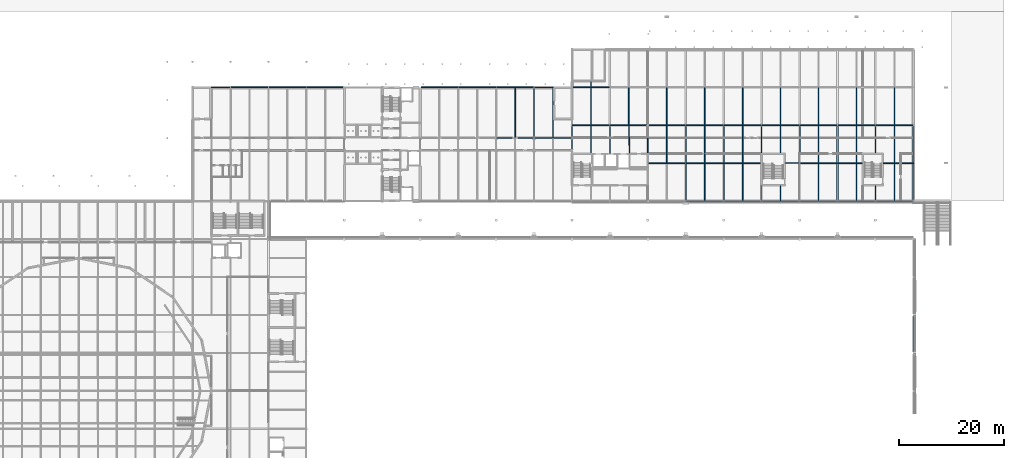
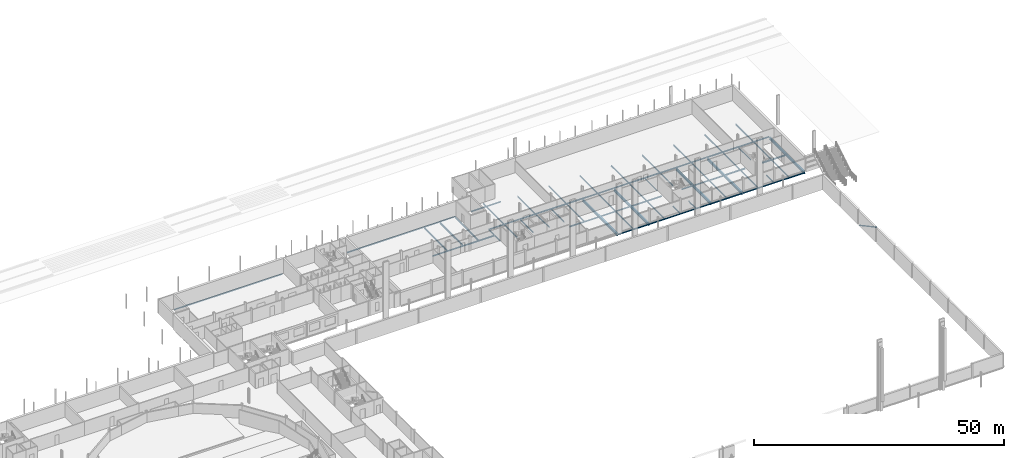
# One storey, part 37 of 90: 74 beams, 1 member.
"""IFC4 building model written with IfcOpenShell, lengths in metres."""

from ifc_helpers import new_model, si_unit, direction, frame, origin, origin_2d, place, context, subcontext, project, spatial, hollow_circle, i_section, extrude, material, material_profile, profile_set, type_object, element, save


model = new_model("IFC4")

# Units and contexts
model_context = context("Model", 3, precision=1e-05, world=origin(), true_north=direction((0.0, 1.0)))
body_context = subcontext(model_context, "Body", "Model", "MODEL_VIEW")
ifc_project = project(units=[si_unit("LENGTHUNIT", "METRE"), si_unit("AREAUNIT", "SQUARE_METRE"), si_unit("VOLUMEUNIT", "CUBIC_METRE"), si_unit("PLANEANGLEUNIT", "RADIAN"), si_unit("MASSUNIT", "GRAM", prefix="KILO")], contexts=[model_context])

# Site, building, storey
site_placement = place(None, origin())
site = spatial("IfcSite", under=ifc_project, at=site_placement, CompositionType="ELEMENT")
building_placement = place(site_placement, origin())
building = spatial("IfcBuilding", under=site, at=building_placement, Name="Kupolbacken Congress Centre", CompositionType="ELEMENT")
storey_placement = place(building_placement, frame((0.0, 0.0, 3.60009765625)))
storey = spatial("IfcBuildingStorey", under=building, at=storey_placement, Name="L01", CompositionType="ELEMENT", Elevation=3.60009765625)

# Beams
ifc_material_1 = material(Name="Steel S355", Category="steel")
ifc_material_profile_1 = material_profile(ifc_material_1, i_section(OverallWidth=0.10009765625, OverallDepth=0.199951171875, WebThickness=0.005615234375, FlangeThickness=0.008544921875, FilletRadius=0.011962890625, at=origin_2d()), Name="IPE 200")
ifc_profile_set_1 = profile_set([ifc_material_profile_1], Name="Steel S355")
beam_type_1 = type_object("IfcBeamType", Name="B01 beam IPE 200", PredefinedType="BEAM", material=ifc_profile_set_1)
for number, where, z_axis, x_axis, name in (
    (1, (68.35009765625, 144.0, -0.280029296875), (1.0, 0.0, 0.0), (0.0, 1.0, 0.0), "S/floor/T/L01/R023"),
    (2, (129.610595703125, 144.0, -0.280029296875), (1.0, 0.0, 0.0), (0.0, 1.0, 0.0), "S/floor/T/L01/R030"),
):
    element("IfcBeam", number, at=place(storey_placement, frame(where, z_axis=z_axis, x_axis=x_axis)), inside=storey, type_object=beam_type_1, Name=name, PredefinedType="BEAM", context=body_context, shape_type="SweptSolid", body=[
        extrude(i_section(OverallWidth=0.10009765625, OverallDepth=0.199951171875, WebThickness=0.005615234375, FlangeThickness=0.008544921875, FilletRadius=0.011962890625, at=origin_2d()), origin(), (0.0, 0.0, 1.0), 3.639404296875),
    ])
for number, where, z_axis, x_axis, name in (
    (3, (136.800048828125, 132.22509765625, -0.280029296875), (0.0, 1.0, 0.0), (-1.0, 0.0, 0.0), "S/floor/T/L01/S077"),
    (4, (136.800048828125, 134.625, -0.280029296875), (0.0, 1.0, 0.0), (-1.0, 0.0, 0.0), "S/floor/T/L01/S078"),
):
    element("IfcBeam", number, at=place(storey_placement, frame(where, z_axis=z_axis, x_axis=x_axis)), inside=storey, type_object=beam_type_1, Name=name, PredefinedType="BEAM", context=body_context, shape_type="SweptSolid", body=[
        extrude(i_section(OverallWidth=0.10009765625, OverallDepth=0.199951171875, WebThickness=0.005615234375, FlangeThickness=0.008544921875, FilletRadius=0.011962890625, at=origin_2d()), origin(), (0.0, 0.0, 1.0), 1.949951171875),
    ])
beam_1_placement = place(storey_placement, frame((140.39990234375, 144.074951171875, -0.280029296875), z_axis=(0.0, 1.0, 0.0), x_axis=(-1.0, 0.0, 0.0)))
element("IfcBeam", 5, at=beam_1_placement, inside=storey, type_object=beam_type_1, Name="S/floor/BF/L01/S019", PredefinedType="BEAM", context=body_context, shape_type="SweptSolid", body=[
    extrude(i_section(OverallWidth=0.10009765625, OverallDepth=0.199951171875, WebThickness=0.005615234375, FlangeThickness=0.008544921875, FilletRadius=0.011962890625, at=origin_2d()), origin(), (0.0, 0.0, 1.0), 1.0),
])
for number, where, z_axis, x_axis, name in (
    (6, (172.800048828125, 122.550048828125, -0.300048828125), (0.0, 1.0, 0.0), (-1.0, 0.0, 0.0), "S/floor/B/L01/G005"),
    (7, (194.39990234375, 122.550048828125, -0.300048828125), (0.0, 1.0, 0.0), (-1.0, 0.0, 0.0), "S/floor/B/L01/G012"),
):
    element("IfcBeam", number, at=place(storey_placement, frame(where, z_axis=z_axis, x_axis=x_axis)), inside=storey, type_object=beam_type_1, Name=name, PredefinedType="BEAM", context=body_context, shape_type="SweptSolid", body=[
        extrude(i_section(OverallWidth=0.10009765625, OverallDepth=0.199951171875, WebThickness=0.005615234375, FlangeThickness=0.008544921875, FilletRadius=0.011962890625, at=origin_2d()), origin(), (0.0, 0.0, 1.0), 2.724853515625),
    ])
beam_2_placement = place(storey_placement, frame((177.324951171875, 129.60009765625, -0.300048828125), z_axis=(1.0, 0.0, 0.0), x_axis=(0.0, 1.0, 0.0)))
element("IfcBeam", 8, at=beam_2_placement, inside=storey, type_object=beam_type_1, Name="S/floor/B/L01/R027", PredefinedType="BEAM", context=body_context, shape_type="SweptSolid", body=[
    extrude(i_section(OverallWidth=0.10009765625, OverallDepth=0.199951171875, WebThickness=0.005615234375, FlangeThickness=0.008544921875, FilletRadius=0.011962890625, at=origin_2d()), origin(), (0.0, 0.0, 1.0), 2.525146484375),
])
beam_3_placement = place(storey_placement, frame((176.39990234375, 122.47509765625, -0.300048828125), z_axis=(0.0, 1.0, 0.0), x_axis=(-1.0, 0.0, 0.0)))
element("IfcBeam", 9, at=beam_3_placement, inside=storey, type_object=beam_type_1, Name="S/floor/B/L01/S064", PredefinedType="BEAM", context=body_context, shape_type="SweptSolid", body=[
    extrude(i_section(OverallWidth=0.10009765625, OverallDepth=0.199951171875, WebThickness=0.005615234375, FlangeThickness=0.008544921875, FilletRadius=0.011962890625, at=origin_2d()), origin(), (0.0, 0.0, 1.0), 2.7998046875),
])
ifc_material_2 = material(Name="Steel S355", Category="steel")
ifc_material_profile_2 = material_profile(ifc_material_2, i_section(OverallWidth=0.135009765625, OverallDepth=0.27001953125, WebThickness=0.006591796875, FlangeThickness=0.01025390625, FilletRadius=0.014892578125, at=origin_2d()), Name="IPE 270")
ifc_profile_set_2 = profile_set([ifc_material_profile_2], Name="Steel S355")
beam_type_2 = type_object("IfcBeamType", Name="B03 beam IPE 270", PredefinedType="BEAM", material=ifc_profile_set_2)
beam_4_placement = place(storey_placement, frame((144.0, 131.39990234375, -0.315185546875), z_axis=(0.0, 1.0, 0.0), x_axis=(-1.0, 0.0, 0.0)))
element("IfcBeam", 10, at=beam_4_placement, inside=storey, type_object=beam_type_2, Name="S/floor/BF/L01/G003", PredefinedType="BEAM", context=body_context, shape_type="SweptSolid", body=[
    extrude(i_section(OverallWidth=0.135009765625, OverallDepth=0.27001953125, WebThickness=0.006591796875, FlangeThickness=0.01025390625, FilletRadius=0.014892578125, at=origin_2d()), origin(), (0.0, 0.0, 1.0), 5.175048828125),
])
beam_5_placement = place(storey_placement, frame((151.199951171875, 131.5, -0.315185546875), z_axis=(0.0, 1.0, 0.0), x_axis=(-1.0, 0.0, 0.0)))
element("IfcBeam", 11, at=beam_5_placement, inside=storey, type_object=beam_type_2, Name="S/floor/BF/L01/G006", PredefinedType="BEAM", context=body_context, shape_type="SweptSolid", body=[
    extrude(i_section(OverallWidth=0.135009765625, OverallDepth=0.27001953125, WebThickness=0.006591796875, FlangeThickness=0.01025390625, FilletRadius=0.014892578125, at=origin_2d()), origin(), (0.0, 0.0, 1.0), 5.14990234375),
])
beam_6_placement = place(storey_placement, frame((140.39990234375, 131.52490234375, -0.315185546875), z_axis=(0.0, 1.0, 0.0), x_axis=(-1.0, 0.0, 0.0)))
element("IfcBeam", 12, at=beam_6_placement, inside=storey, type_object=beam_type_2, Name="S/floor/BF/L01/S017", PredefinedType="BEAM", context=body_context, shape_type="SweptSolid", body=[
    extrude(i_section(OverallWidth=0.135009765625, OverallDepth=0.27001953125, WebThickness=0.006591796875, FlangeThickness=0.01025390625, FilletRadius=0.014892578125, at=origin_2d()), origin(), (0.0, 0.0, 1.0), 5.2001953125),
])
beam_7_placement = place(storey_placement, frame((147.732666015625, 131.39990234375, -0.315185546875), z_axis=(-0.02488684298, 0.999690274558, 0.0), x_axis=(-0.999690274558, -0.02488684298, 0.0)))
element("IfcBeam", 13, at=beam_7_placement, inside=storey, type_object=beam_type_2, Name="S/floor/BF/L01/S021", PredefinedType="BEAM", context=body_context, shape_type="SweptSolid", body=[
    extrude(i_section(OverallWidth=0.135009765625, OverallDepth=0.27001953125, WebThickness=0.006591796875, FlangeThickness=0.01025390625, FilletRadius=0.014892578125, at=origin_2d()), origin(), (0.0, 0.0, 1.0), 5.326904296875),
])
for number, where, z_axis, x_axis, name in (
    (14, (172.800048828125, 131.52490234375, -0.335205078125), (0.0, 1.0, 0.0), (-1.0, 0.0, 0.0), "S/floor/B/L01/G006"),
    (15, (194.39990234375, 131.52490234375, -0.335205078125), (0.0, 1.0, 0.0), (-1.0, 0.0, 0.0), "S/floor/B/L01/G013"),
):
    element("IfcBeam", number, at=place(storey_placement, frame(where, z_axis=z_axis, x_axis=x_axis)), inside=storey, type_object=beam_type_2, Name=name, PredefinedType="BEAM", context=body_context, shape_type="SweptSolid", body=[
        extrude(i_section(OverallWidth=0.135009765625, OverallDepth=0.27001953125, WebThickness=0.006591796875, FlangeThickness=0.01025390625, FilletRadius=0.014892578125, at=origin_2d()), origin(), (0.0, 0.0, 1.0), 5.050048828125),
    ])
beam_8_placement = place(storey_placement, frame((187.35009765625, 129.60009765625, -0.335205078125), z_axis=(1.0, 0.0, 0.0), x_axis=(0.0, 1.0, 0.0)))
element("IfcBeam", 16, at=beam_8_placement, inside=storey, type_object=beam_type_2, Name="S/floor/B/L01/R029", PredefinedType="BEAM", context=body_context, shape_type="SweptSolid", body=[
    extrude(i_section(OverallWidth=0.135009765625, OverallDepth=0.27001953125, WebThickness=0.006591796875, FlangeThickness=0.01025390625, FilletRadius=0.014892578125, at=origin_2d()), origin(), (0.0, 0.0, 1.0), 4.52490234375),
])
beam_9_placement = place(storey_placement, frame((195.925048828125, 129.60009765625, -0.335205078125), z_axis=(1.0, 0.0, 0.0), x_axis=(0.0, 1.0, 0.0)))
element("IfcBeam", 17, at=beam_9_placement, inside=storey, type_object=beam_type_2, Name="S/floor/B/L01/R030", PredefinedType="BEAM", context=body_context, shape_type="SweptSolid", body=[
    extrude(i_section(OverallWidth=0.135009765625, OverallDepth=0.27001953125, WebThickness=0.006591796875, FlangeThickness=0.01025390625, FilletRadius=0.014892578125, at=origin_2d()), origin(), (0.0, 0.0, 1.0), 5.52490234375),
])
beam_10_placement = place(storey_placement, frame((176.39990234375, 131.52490234375, -0.335205078125), z_axis=(0.0, 1.0, 0.0), x_axis=(-1.0, 0.0, 0.0)))
element("IfcBeam", 18, at=beam_10_placement, inside=storey, type_object=beam_type_2, Name="S/floor/B/L01/S065", PredefinedType="BEAM", context=body_context, shape_type="SweptSolid", body=[
    extrude(i_section(OverallWidth=0.135009765625, OverallDepth=0.27001953125, WebThickness=0.006591796875, FlangeThickness=0.01025390625, FilletRadius=0.014892578125, at=origin_2d()), origin(), (0.0, 0.0, 1.0), 5.2001953125),
])
ifc_material_3 = material(Name="Steel S355", Category="steel")
ifc_material_profile_3 = material_profile(ifc_material_3, i_section(OverallWidth=0.14990234375, OverallDepth=0.300048828125, WebThickness=0.007080078125, FlangeThickness=0.0107421875, FilletRadius=0.014892578125, at=origin_2d()), Name="IPE 300")
ifc_profile_set_3 = profile_set([ifc_material_profile_3], Name="Steel S355")
beam_type_3 = type_object("IfcBeamType", Name="B04 beam IPE 300", PredefinedType="BEAM", material=ifc_profile_set_3)
beam_11_placement = place(storey_placement, frame((122.41650390625, 134.39990234375, -0.330078125), z_axis=(1.0, 0.0, 0.0), x_axis=(0.0, 1.0, 0.0)))
element("IfcBeam", 19, at=beam_11_placement, inside=storey, type_object=beam_type_3, Name="S/floor/T/L01/R021", PredefinedType="BEAM", context=body_context, shape_type="SweptSolid", body=[
    extrude(i_section(OverallWidth=0.14990234375, OverallDepth=0.300048828125, WebThickness=0.007080078125, FlangeThickness=0.0107421875, FilletRadius=0.014892578125, at=origin_2d()), origin(), (0.0, 0.0, 1.0), 7.1669921875),
])
beam_12_placement = place(storey_placement, frame((129.616455078125, 134.39990234375, -0.330078125), z_axis=(1.0, 0.0, 0.0), x_axis=(0.0, 1.0, 0.0)))
element("IfcBeam", 20, at=beam_12_placement, inside=storey, type_object=beam_type_3, Name="S/floor/T/L01/R022", PredefinedType="BEAM", context=body_context, shape_type="SweptSolid", body=[
    extrude(i_section(OverallWidth=0.14990234375, OverallDepth=0.300048828125, WebThickness=0.007080078125, FlangeThickness=0.0107421875, FilletRadius=0.014892578125, at=origin_2d()), origin(), (0.0, 0.0, 1.0), 7.176513671875),
])
for number, where, z_axis, x_axis, name in (
    (21, (72.010498046875, 144.0, -0.330078125), (1.0, 0.0, 0.0), (0.0, 1.0, 0.0), "S/floor/T/L01/R024"),
    (22, (79.21044921875, 144.0, -0.330078125), (1.0, 0.0, 0.0), (0.0, 1.0, 0.0), "S/floor/T/L01/R025"),
):
    element("IfcBeam", number, at=place(storey_placement, frame(where, z_axis=z_axis, x_axis=x_axis)), inside=storey, type_object=beam_type_3, Name=name, PredefinedType="BEAM", context=body_context, shape_type="SweptSolid", body=[
        extrude(i_section(OverallWidth=0.14990234375, OverallDepth=0.300048828125, WebThickness=0.007080078125, FlangeThickness=0.0107421875, FilletRadius=0.014892578125, at=origin_2d()), origin(), (0.0, 0.0, 1.0), 7.178955078125),
    ])
for number, where, z_axis, x_axis, name in (
    (23, (86.410400390625, 144.0, -0.330078125), (1.0, 0.0, 0.0), (0.0, 1.0, 0.0), "S/floor/T/L01/R026"),
    (24, (108.199951171875, 144.0, -0.330078125), (1.0, 0.0, 0.0), (0.0, 1.0, 0.0), "S/floor/T/L01/R027"),
):
    element("IfcBeam", number, at=place(storey_placement, frame(where, z_axis=z_axis, x_axis=x_axis)), inside=storey, type_object=beam_type_3, Name=name, PredefinedType="BEAM", context=body_context, shape_type="SweptSolid", body=[
        extrude(i_section(OverallWidth=0.14990234375, OverallDepth=0.300048828125, WebThickness=0.007080078125, FlangeThickness=0.0107421875, FilletRadius=0.014892578125, at=origin_2d()), origin(), (0.0, 0.0, 1.0), 6.989501953125),
    ])
beam_13_placement = place(storey_placement, frame((115.21044921875, 144.0, -0.330078125), z_axis=(1.0, 0.0, 0.0), x_axis=(0.0, 1.0, 0.0)))
element("IfcBeam", 25, at=beam_13_placement, inside=storey, type_object=beam_type_3, Name="S/floor/T/L01/R028", PredefinedType="BEAM", context=body_context, shape_type="SweptSolid", body=[
    extrude(i_section(OverallWidth=0.14990234375, OverallDepth=0.300048828125, WebThickness=0.007080078125, FlangeThickness=0.0107421875, FilletRadius=0.014892578125, at=origin_2d()), origin(), (0.0, 0.0, 1.0), 7.178955078125),
])
beam_14_placement = place(storey_placement, frame((122.410400390625, 144.0, -0.330078125), z_axis=(1.0, 0.0, 0.0), x_axis=(0.0, 1.0, 0.0)))
element("IfcBeam", 26, at=beam_14_placement, inside=storey, type_object=beam_type_3, Name="S/floor/T/L01/R029", PredefinedType="BEAM", context=body_context, shape_type="SweptSolid", body=[
    extrude(i_section(OverallWidth=0.14990234375, OverallDepth=0.300048828125, WebThickness=0.007080078125, FlangeThickness=0.0107421875, FilletRadius=0.014892578125, at=origin_2d()), origin(), (0.0, 0.0, 1.0), 7.17919921875),
])
beam_15_placement = place(storey_placement, frame((136.806884765625, 136.800048828125, -0.330078125), z_axis=(1.0, 0.0, 0.0), x_axis=(0.0, 1.0, 0.0)))
element("IfcBeam", 27, at=beam_15_placement, inside=storey, type_object=beam_type_3, Name="S/floor/BF/L01/R010", PredefinedType="BEAM", context=body_context, shape_type="SweptSolid", body=[
    extrude(i_section(OverallWidth=0.14990234375, OverallDepth=0.300048828125, WebThickness=0.007080078125, FlangeThickness=0.0107421875, FilletRadius=0.014892578125, at=origin_2d()), origin(), (0.0, 0.0, 1.0), 7.18603515625),
])
beam_16_placement = place(storey_placement, frame((144.007080078125, 136.800048828125, -0.330078125), z_axis=(1.0, 0.0, 0.0), x_axis=(0.0, 1.0, 0.0)))
element("IfcBeam", 28, at=beam_16_placement, inside=storey, type_object=beam_type_3, Name="S/floor/BF/L01/R011", PredefinedType="BEAM", context=body_context, shape_type="SweptSolid", body=[
    extrude(i_section(OverallWidth=0.14990234375, OverallDepth=0.300048828125, WebThickness=0.007080078125, FlangeThickness=0.0107421875, FilletRadius=0.014892578125, at=origin_2d()), origin(), (0.0, 0.0, 1.0), 7.1875),
])
beam_17_placement = place(storey_placement, frame((136.949951171875, 144.0, -0.330078125), z_axis=(1.0, 0.0, 0.0), x_axis=(0.0, 1.0, 0.0)))
element("IfcBeam", 29, at=beam_17_placement, inside=storey, type_object=beam_type_3, Name="S/floor/BF/L01/R012", PredefinedType="BEAM", context=body_context, shape_type="SweptSolid", body=[
    extrude(i_section(OverallWidth=0.14990234375, OverallDepth=0.300048828125, WebThickness=0.007080078125, FlangeThickness=0.0107421875, FilletRadius=0.014892578125, at=origin_2d()), origin(), (0.0, 0.0, 1.0), 6.900146484375),
])
for number, where, z_axis, x_axis, name in (
    (30, (140.39990234375, 136.875, -0.330078125), (0.0, 1.0, 0.0), (-1.0, 0.0, 0.0), "S/floor/BF/L01/S018"),
    (31, (147.60009765625, 136.875, -0.330078125), (0.0, 1.0, 0.0), (-1.0, 0.0, 0.0), "S/floor/BF/L01/S022"),
):
    element("IfcBeam", number, at=place(storey_placement, frame(where, z_axis=z_axis, x_axis=x_axis)), inside=storey, type_object=beam_type_3, Name=name, PredefinedType="BEAM", context=body_context, shape_type="SweptSolid", body=[
        extrude(i_section(OverallWidth=0.14990234375, OverallDepth=0.300048828125, WebThickness=0.007080078125, FlangeThickness=0.0107421875, FilletRadius=0.014892578125, at=origin_2d()), origin(), (0.0, 0.0, 1.0), 7.050048828125),
    ])
for number, where, z_axis, x_axis, name in (
    (32, (158.405517578125, 122.39990234375, -0.35009765625), (1.0, 0.0, 0.0), (0.0, 1.0, 0.0), "S/floor/B/L01/R018"),
    (33, (165.60546875, 122.39990234375, -0.35009765625), (1.0, 0.0, 0.0), (0.0, 1.0, 0.0), "S/floor/B/L01/R019"),
    (34, (172.805419921875, 122.39990234375, -0.35009765625), (1.0, 0.0, 0.0), (0.0, 1.0, 0.0), "S/floor/B/L01/R020"),
    (35, (180.005615234375, 122.39990234375, -0.35009765625), (1.0, 0.0, 0.0), (0.0, 1.0, 0.0), "S/floor/B/L01/R021"),
    (36, (187.20556640625, 122.39990234375, -0.35009765625), (1.0, 0.0, 0.0), (0.0, 1.0, 0.0), "S/floor/B/L01/R022"),
    (37, (194.405517578125, 122.39990234375, -0.35009765625), (1.0, 0.0, 0.0), (0.0, 1.0, 0.0), "S/floor/B/L01/R023"),
):
    element("IfcBeam", number, at=place(storey_placement, frame(where, z_axis=z_axis, x_axis=x_axis)), inside=storey, type_object=beam_type_3, Name=name, PredefinedType="BEAM", context=body_context, shape_type="SweptSolid", body=[
        extrude(i_section(OverallWidth=0.14990234375, OverallDepth=0.300048828125, WebThickness=0.007080078125, FlangeThickness=0.0107421875, FilletRadius=0.014892578125, at=origin_2d()), origin(), (0.0, 0.0, 1.0), 7.18896484375),
    ])
beam_18_placement = place(storey_placement, frame((151.300048828125, 129.60009765625, -0.35009765625), z_axis=(1.0, 0.0, 0.0), x_axis=(0.0, 1.0, 0.0)))
element("IfcBeam", 38, at=beam_18_placement, inside=storey, type_object=beam_type_3, Name="S/floor/B/L01/R024", PredefinedType="BEAM", context=body_context, shape_type="SweptSolid", body=[
    extrude(i_section(OverallWidth=0.14990234375, OverallDepth=0.300048828125, WebThickness=0.007080078125, FlangeThickness=0.0107421875, FilletRadius=0.014892578125, at=origin_2d()), origin(), (0.0, 0.0, 1.0), 6.949951171875),
])
beam_19_placement = place(storey_placement, frame((158.550048828125, 129.60009765625, -0.35009765625), z_axis=(1.0, 0.0, 0.0), x_axis=(0.0, 1.0, 0.0)))
element("IfcBeam", 39, at=beam_19_placement, inside=storey, type_object=beam_type_3, Name="S/floor/B/L01/R025", PredefinedType="BEAM", context=body_context, shape_type="SweptSolid", body=[
    extrude(i_section(OverallWidth=0.14990234375, OverallDepth=0.300048828125, WebThickness=0.007080078125, FlangeThickness=0.0107421875, FilletRadius=0.014892578125, at=origin_2d()), origin(), (0.0, 0.0, 1.0), 6.89990234375),
])
beam_20_placement = place(storey_placement, frame((165.75, 129.60009765625, -0.35009765625), z_axis=(1.0, 0.0, 0.0), x_axis=(0.0, 1.0, 0.0)))
element("IfcBeam", 40, at=beam_20_placement, inside=storey, type_object=beam_type_3, Name="S/floor/B/L01/R026", PredefinedType="BEAM", context=body_context, shape_type="SweptSolid", body=[
    extrude(i_section(OverallWidth=0.14990234375, OverallDepth=0.300048828125, WebThickness=0.007080078125, FlangeThickness=0.0107421875, FilletRadius=0.014892578125, at=origin_2d()), origin(), (0.0, 0.0, 1.0), 6.925048828125),
])
beam_21_placement = place(storey_placement, frame((180.14990234375, 129.60009765625, -0.35009765625), z_axis=(1.0, 0.0, 0.0), x_axis=(0.0, 1.0, 0.0)))
element("IfcBeam", 41, at=beam_21_placement, inside=storey, type_object=beam_type_3, Name="S/floor/B/L01/R028", PredefinedType="BEAM", context=body_context, shape_type="SweptSolid", body=[
    extrude(i_section(OverallWidth=0.14990234375, OverallDepth=0.300048828125, WebThickness=0.007080078125, FlangeThickness=0.0107421875, FilletRadius=0.014892578125, at=origin_2d()), origin(), (0.0, 0.0, 1.0), 6.900146484375),
])
beam_22_placement = place(storey_placement, frame((151.20556640625, 136.800048828125, -0.35009765625), z_axis=(1.0, 0.0, 0.0), x_axis=(0.0, 1.0, 0.0)))
element("IfcBeam", 42, at=beam_22_placement, inside=storey, type_object=beam_type_3, Name="S/floor/B/L01/R031", PredefinedType="BEAM", context=body_context, shape_type="SweptSolid", body=[
    extrude(i_section(OverallWidth=0.14990234375, OverallDepth=0.300048828125, WebThickness=0.007080078125, FlangeThickness=0.0107421875, FilletRadius=0.014892578125, at=origin_2d()), origin(), (0.0, 0.0, 1.0), 7.1875),
])
for number, where, z_axis, x_axis, name in (
    (43, (158.406982421875, 136.800048828125, -0.35009765625), (1.0, 0.0, 0.0), (0.0, 1.0, 0.0), "S/floor/B/L01/R032"),
    (44, (165.60693359375, 136.800048828125, -0.35009765625), (1.0, 0.0, 0.0), (0.0, 1.0, 0.0), "S/floor/B/L01/R033"),
    (45, (172.806884765625, 136.800048828125, -0.35009765625), (1.0, 0.0, 0.0), (0.0, 1.0, 0.0), "S/floor/B/L01/R034"),
    (46, (180.007080078125, 136.800048828125, -0.35009765625), (1.0, 0.0, 0.0), (0.0, 1.0, 0.0), "S/floor/B/L01/R035"),
    (47, (187.20703125, 136.800048828125, -0.35009765625), (1.0, 0.0, 0.0), (0.0, 1.0, 0.0), "S/floor/B/L01/R036"),
    (48, (194.406982421875, 136.800048828125, -0.35009765625), (1.0, 0.0, 0.0), (0.0, 1.0, 0.0), "S/floor/B/L01/R037"),
):
    element("IfcBeam", number, at=place(storey_placement, frame(where, z_axis=z_axis, x_axis=x_axis)), inside=storey, type_object=beam_type_3, Name=name, PredefinedType="BEAM", context=body_context, shape_type="SweptSolid", body=[
        extrude(i_section(OverallWidth=0.14990234375, OverallDepth=0.300048828125, WebThickness=0.007080078125, FlangeThickness=0.0107421875, FilletRadius=0.014892578125, at=origin_2d()), origin(), (0.0, 0.0, 1.0), 7.18603515625),
    ])
for number, where, z_axis, x_axis, name in (
    (49, (154.800048828125, 129.675048828125, -0.35009765625), (0.0, 1.0, 0.0), (-1.0, 0.0, 0.0), "S/floor/B/L01/S053"),
    (50, (154.800048828125, 136.875, -0.35009765625), (0.0, 1.0, 0.0), (-1.0, 0.0, 0.0), "S/floor/B/L01/S054"),
):
    element("IfcBeam", number, at=place(storey_placement, frame(where, z_axis=z_axis, x_axis=x_axis)), inside=storey, type_object=beam_type_3, Name=name, PredefinedType="BEAM", context=body_context, shape_type="SweptSolid", body=[
        extrude(i_section(OverallWidth=0.14990234375, OverallDepth=0.300048828125, WebThickness=0.007080078125, FlangeThickness=0.0107421875, FilletRadius=0.014892578125, at=origin_2d()), origin(), (0.0, 0.0, 1.0), 7.050048828125),
    ])
beam_23_placement = place(storey_placement, frame((162.0, 122.47509765625, -0.35009765625), z_axis=(0.0, 1.0, 0.0), x_axis=(-1.0, 0.0, 0.0)))
element("IfcBeam", 51, at=beam_23_placement, inside=storey, type_object=beam_type_3, Name="S/floor/B/L01/S056", PredefinedType="BEAM", context=body_context, shape_type="SweptSolid", body=[
    extrude(i_section(OverallWidth=0.14990234375, OverallDepth=0.300048828125, WebThickness=0.007080078125, FlangeThickness=0.0107421875, FilletRadius=0.014892578125, at=origin_2d()), origin(), (0.0, 0.0, 1.0), 7.0498046875),
])
for number, where, z_axis, x_axis, name in (
    (52, (162.0, 129.675048828125, -0.35009765625), (0.0, 1.0, 0.0), (-1.0, 0.0, 0.0), "S/floor/B/L01/S057"),
    (53, (162.0, 136.875, -0.35009765625), (0.0, 1.0, 0.0), (-1.0, 0.0, 0.0), "S/floor/B/L01/S058"),
):
    element("IfcBeam", number, at=place(storey_placement, frame(where, z_axis=z_axis, x_axis=x_axis)), inside=storey, type_object=beam_type_3, Name=name, PredefinedType="BEAM", context=body_context, shape_type="SweptSolid", body=[
        extrude(i_section(OverallWidth=0.14990234375, OverallDepth=0.300048828125, WebThickness=0.007080078125, FlangeThickness=0.0107421875, FilletRadius=0.014892578125, at=origin_2d()), origin(), (0.0, 0.0, 1.0), 7.050048828125),
    ])
beam_24_placement = place(storey_placement, frame((169.199951171875, 122.47509765625, -0.35009765625), z_axis=(0.0, 1.0, 0.0), x_axis=(-1.0, 0.0, 0.0)))
element("IfcBeam", 54, at=beam_24_placement, inside=storey, type_object=beam_type_3, Name="S/floor/B/L01/S060", PredefinedType="BEAM", context=body_context, shape_type="SweptSolid", body=[
    extrude(i_section(OverallWidth=0.14990234375, OverallDepth=0.300048828125, WebThickness=0.007080078125, FlangeThickness=0.0107421875, FilletRadius=0.014892578125, at=origin_2d()), origin(), (0.0, 0.0, 1.0), 7.0498046875),
])
for number, where, z_axis, x_axis, name in (
    (55, (169.199951171875, 129.675048828125, -0.35009765625), (0.0, 1.0, 0.0), (-1.0, 0.0, 0.0), "S/floor/B/L01/S061"),
    (56, (169.199951171875, 136.875, -0.35009765625), (0.0, 1.0, 0.0), (-1.0, 0.0, 0.0), "S/floor/B/L01/S062"),
    (57, (176.39990234375, 136.875, -0.35009765625), (0.0, 1.0, 0.0), (-1.0, 0.0, 0.0), "S/floor/B/L01/S066"),
):
    element("IfcBeam", number, at=place(storey_placement, frame(where, z_axis=z_axis, x_axis=x_axis)), inside=storey, type_object=beam_type_3, Name=name, PredefinedType="BEAM", context=body_context, shape_type="SweptSolid", body=[
        extrude(i_section(OverallWidth=0.14990234375, OverallDepth=0.300048828125, WebThickness=0.007080078125, FlangeThickness=0.0107421875, FilletRadius=0.014892578125, at=origin_2d()), origin(), (0.0, 0.0, 1.0), 7.050048828125),
    ])
beam_25_placement = place(storey_placement, frame((183.60009765625, 122.47509765625, -0.35009765625), z_axis=(0.0, 1.0, 0.0), x_axis=(-1.0, 0.0, 0.0)))
element("IfcBeam", 58, at=beam_25_placement, inside=storey, type_object=beam_type_3, Name="S/floor/B/L01/S068", PredefinedType="BEAM", context=body_context, shape_type="SweptSolid", body=[
    extrude(i_section(OverallWidth=0.14990234375, OverallDepth=0.300048828125, WebThickness=0.007080078125, FlangeThickness=0.0107421875, FilletRadius=0.014892578125, at=origin_2d()), origin(), (0.0, 0.0, 1.0), 7.0498046875),
])
for number, where, z_axis, x_axis, name in (
    (59, (183.60009765625, 129.675048828125, -0.35009765625), (0.0, 1.0, 0.0), (-1.0, 0.0, 0.0), "S/floor/B/L01/S069"),
    (60, (183.60009765625, 136.875, -0.35009765625), (0.0, 1.0, 0.0), (-1.0, 0.0, 0.0), "S/floor/B/L01/S070"),
):
    element("IfcBeam", number, at=place(storey_placement, frame(where, z_axis=z_axis, x_axis=x_axis)), inside=storey, type_object=beam_type_3, Name=name, PredefinedType="BEAM", context=body_context, shape_type="SweptSolid", body=[
        extrude(i_section(OverallWidth=0.14990234375, OverallDepth=0.300048828125, WebThickness=0.007080078125, FlangeThickness=0.0107421875, FilletRadius=0.014892578125, at=origin_2d()), origin(), (0.0, 0.0, 1.0), 7.050048828125),
    ])
beam_26_placement = place(storey_placement, frame((190.800048828125, 122.47509765625, -0.35009765625), z_axis=(0.0, 1.0, 0.0), x_axis=(-1.0, 0.0, 0.0)))
element("IfcBeam", 61, at=beam_26_placement, inside=storey, type_object=beam_type_3, Name="S/floor/B/L01/S072", PredefinedType="BEAM", context=body_context, shape_type="SweptSolid", body=[
    extrude(i_section(OverallWidth=0.14990234375, OverallDepth=0.300048828125, WebThickness=0.007080078125, FlangeThickness=0.0107421875, FilletRadius=0.014892578125, at=origin_2d()), origin(), (0.0, 0.0, 1.0), 7.057373046875),
])
beam_27_placement = place(storey_placement, frame((190.800048828125, 129.66748046875, -0.35009765625), z_axis=(0.0, 1.0, 0.0), x_axis=(-1.0, 0.0, 0.0)))
element("IfcBeam", 62, at=beam_27_placement, inside=storey, type_object=beam_type_3, Name="S/floor/B/L01/S073", PredefinedType="BEAM", context=body_context, shape_type="SweptSolid", body=[
    extrude(i_section(OverallWidth=0.14990234375, OverallDepth=0.300048828125, WebThickness=0.007080078125, FlangeThickness=0.0107421875, FilletRadius=0.014892578125, at=origin_2d()), origin(), (0.0, 0.0, 1.0), 7.0576171875),
])
beam_28_placement = place(storey_placement, frame((190.800048828125, 136.875, -0.35009765625), z_axis=(0.0, 1.0, 0.0), x_axis=(-1.0, 0.0, 0.0)))
element("IfcBeam", 63, at=beam_28_placement, inside=storey, type_object=beam_type_3, Name="S/floor/B/L01/S074", PredefinedType="BEAM", context=body_context, shape_type="SweptSolid", body=[
    extrude(i_section(OverallWidth=0.14990234375, OverallDepth=0.300048828125, WebThickness=0.007080078125, FlangeThickness=0.0107421875, FilletRadius=0.014892578125, at=origin_2d()), origin(), (0.0, 0.0, 1.0), 7.050048828125),
])
beam_29_placement = place(storey_placement, frame((198.0, 122.47509765625, -0.35009765625), z_axis=(0.0, 1.0, 0.0), x_axis=(-1.0, 0.0, 0.0)))
element("IfcBeam", 64, at=beam_29_placement, inside=storey, type_object=beam_type_3, Name="S/floor/B/L01/S076", PredefinedType="BEAM", context=body_context, shape_type="SweptSolid", body=[
    extrude(i_section(OverallWidth=0.14990234375, OverallDepth=0.300048828125, WebThickness=0.007080078125, FlangeThickness=0.0107421875, FilletRadius=0.014892578125, at=origin_2d()), origin(), (0.0, 0.0, 1.0), 7.057373046875),
])
beam_30_placement = place(storey_placement, frame((198.0, 129.66748046875, -0.35009765625), z_axis=(0.0, 1.0, 0.0), x_axis=(-1.0, 0.0, 0.0)))
element("IfcBeam", 65, at=beam_30_placement, inside=storey, type_object=beam_type_3, Name="S/floor/B/L01/S077", PredefinedType="BEAM", context=body_context, shape_type="SweptSolid", body=[
    extrude(i_section(OverallWidth=0.14990234375, OverallDepth=0.300048828125, WebThickness=0.007080078125, FlangeThickness=0.0107421875, FilletRadius=0.014892578125, at=origin_2d()), origin(), (0.0, 0.0, 1.0), 7.0576171875),
])
beam_31_placement = place(storey_placement, frame((198.0, 136.875, -0.35009765625), z_axis=(0.0, 1.0, 0.0), x_axis=(-1.0, 0.0, 0.0)))
element("IfcBeam", 66, at=beam_31_placement, inside=storey, type_object=beam_type_3, Name="S/floor/B/L01/S078", PredefinedType="BEAM", context=body_context, shape_type="SweptSolid", body=[
    extrude(i_section(OverallWidth=0.14990234375, OverallDepth=0.300048828125, WebThickness=0.007080078125, FlangeThickness=0.0107421875, FilletRadius=0.014892578125, at=origin_2d()), origin(), (0.0, 0.0, 1.0), 7.050048828125),
])
ifc_material_4 = material(Name="Steel S355", Category="steel")
ifc_material_profile_4 = material_profile(ifc_material_4, i_section(OverallWidth=0.179931640625, OverallDepth=0.39990234375, WebThickness=0.008544921875, FlangeThickness=0.013427734375, FilletRadius=0.02099609375, at=origin_2d()), Name="IPE 400")
ifc_profile_set_4 = profile_set([ifc_material_profile_4], Name="Steel S355")
beam_type_4 = type_object("IfcBeamType", Name="B07 beam IPE 400", PredefinedType="BEAM", material=ifc_profile_set_4)
beam_32_placement = place(storey_placement, frame((126.0, 134.47509765625, -0.380126953125), z_axis=(0.0, 1.0, 0.0), x_axis=(-1.0, 0.0, 0.0)))
element("IfcBeam", 67, at=beam_32_placement, inside=storey, type_object=beam_type_4, Name="S/floor/T/L01/S069", PredefinedType="BEAM", context=body_context, shape_type="SweptSolid", body=[
    extrude(i_section(OverallWidth=0.179931640625, OverallDepth=0.39990234375, WebThickness=0.008544921875, FlangeThickness=0.013427734375, FilletRadius=0.02099609375, at=origin_2d()), origin(), (0.0, 0.0, 1.0), 9.449951171875),
])
beam_33_placement = place(storey_placement, frame((129.60009765625, 134.612548828125, -0.380126953125), z_axis=(0.0, 1.0, 0.0), x_axis=(-1.0, 0.0, 0.0)))
element("IfcBeam", 68, at=beam_33_placement, inside=storey, type_object=beam_type_4, Name="S/floor/T/L01/S072", PredefinedType="BEAM", context=body_context, shape_type="SweptSolid", body=[
    extrude(i_section(OverallWidth=0.179931640625, OverallDepth=0.39990234375, WebThickness=0.008544921875, FlangeThickness=0.013427734375, FilletRadius=0.02099609375, at=origin_2d()), origin(), (0.0, 0.0, 1.0), 9.17138671875),
])
beam_34_placement = place(storey_placement, frame((133.199951171875, 134.47509765625, -0.380126953125), z_axis=(0.0, 1.0, 0.0), x_axis=(-1.0, 0.0, 0.0)))
element("IfcBeam", 69, at=beam_34_placement, inside=storey, type_object=beam_type_4, Name="S/floor/T/L01/S075", PredefinedType="BEAM", context=body_context, shape_type="SweptSolid", body=[
    extrude(i_section(OverallWidth=0.179931640625, OverallDepth=0.39990234375, WebThickness=0.008544921875, FlangeThickness=0.013427734375, FilletRadius=0.02099609375, at=origin_2d()), origin(), (0.0, 0.0, 1.0), 9.474853515625),
])
ifc_material_5 = material(Name="Steel S355", Category="steel")
ifc_material_profile_5 = material_profile(ifc_material_5, i_section(OverallWidth=0.300048828125, OverallDepth=0.60009765625, WebThickness=0.015380859375, FlangeThickness=0.030029296875, FilletRadius=0.027099609375, at=origin_2d()), Name="HEB 600")
ifc_profile_set_5 = profile_set([ifc_material_profile_5], Name="Steel S355")
beam_type_5 = type_object("IfcBeamType", Name="B15 beam HEB 600", PredefinedType="BEAM", material=ifc_profile_set_5)
for number, where, z_axis, x_axis, name in (
    (70, (158.39990234375, 122.550048828125, -0.5), (0.0, 1.0, 0.0), (-1.0, 0.0, 0.0), "S/floor/B/L01/G001"),
    (71, (165.60009765625, 122.550048828125, -0.5), (0.0, 1.0, 0.0), (-1.0, 0.0, 0.0), "S/floor/B/L01/G003"),
    (72, (180.0, 122.550048828125, -0.5), (0.0, 1.0, 0.0), (-1.0, 0.0, 0.0), "S/floor/B/L01/G008"),
    (73, (187.199951171875, 122.550048828125, -0.5), (0.0, 1.0, 0.0), (-1.0, 0.0, 0.0), "S/floor/B/L01/G010"),
    (74, (201.60009765625, 122.550048828125, -0.5), (0.0, 1.0, 0.0), (-1.0, 0.0, 0.0), "S/floor/B/L01/G015"),
):
    element("IfcBeam", number, at=place(storey_placement, frame(where, z_axis=z_axis, x_axis=x_axis)), inside=storey, type_object=beam_type_5, Name=name, PredefinedType="BEAM", context=body_context, shape_type="SweptSolid", body=[
        extrude(i_section(OverallWidth=0.300048828125, OverallDepth=0.60009765625, WebThickness=0.015380859375, FlangeThickness=0.030029296875, FilletRadius=0.027099609375, at=origin_2d()), origin(), (0.0, 0.0, 1.0), 14.02490234375),
    ])

# Member
ifc_material_6 = material(Name="Steel S355", Category="steel")
ifc_material_profile_6 = material_profile(ifc_material_6, hollow_circle(Radius=0.136474609375, WallThickness=0.012451171875, at=origin_2d()), Name="CHS 273 x 12.5")
ifc_profile_set_6 = profile_set([ifc_material_profile_6], Name="Steel S355")
member_type = type_object("IfcMemberType", Name="M08 brace CHS 273 x 12.5", PredefinedType="BRACE", material=ifc_profile_set_6)
member_placement = place(storey_placement, frame((201.60009765625, 100.554931640625, 0.0), z_axis=(0.0, -0.881193823646, 0.472755164083), x_axis=(1.0, 0.0, 0.0)))
element("IfcMember", 75, at=member_placement, inside=storey, type_object=member_type, Name="S/brace/E/08/02", PredefinedType="BRACE", context=body_context, shape_type="SweptSolid", body=[
    extrude(hollow_circle(Radius=0.136474609375, WallThickness=0.012451171875, at=origin_2d()), origin(), (0.0, 0.0, 1.0), 7.61474609375),
])

save(model, "model.ifc")
